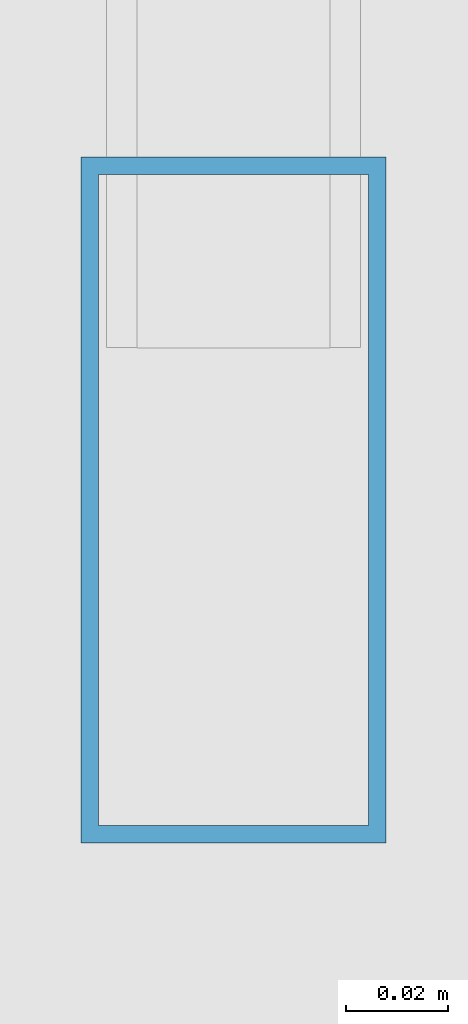
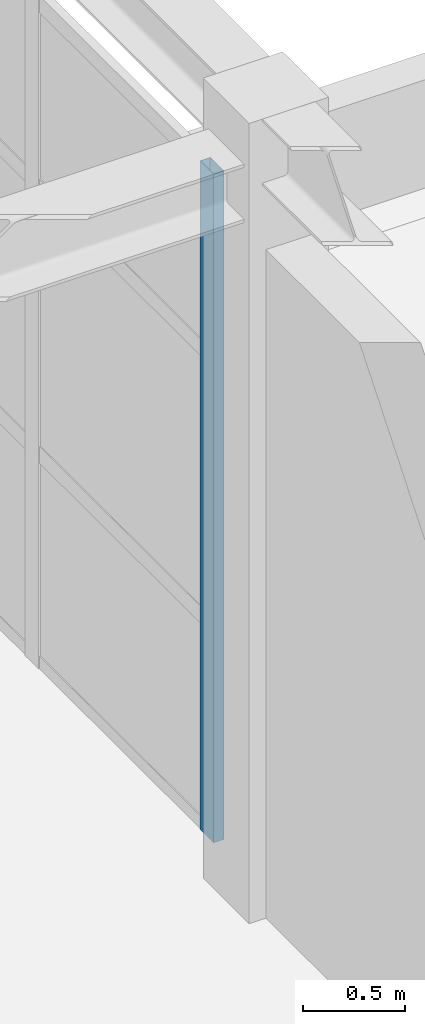
# One storey, part 7 of 63: 1 member, 1 element without a shape of its own.
"""IFC4 building model written with IfcOpenShell, lengths in metres."""

from ifc_helpers import new_model, si_unit, direction, frame, origin, origin_2d, place, context, subcontext, project, spatial, hollow_rectangle, extrude, material, layer, layer_set, material_profile, profile_set, type_object, element, aggregate, save


model = new_model("IFC4")

# Units and contexts
model_context = context("Model", 3, precision=1e-05, world=origin(), true_north=direction((0.0, 1.0)))
body_context = subcontext(model_context, "Body", "Model", "MODEL_VIEW")
ifc_project = project(units=[si_unit("LENGTHUNIT", "METRE"), si_unit("AREAUNIT", "SQUARE_METRE"), si_unit("VOLUMEUNIT", "CUBIC_METRE"), si_unit("PLANEANGLEUNIT", "RADIAN"), si_unit("MASSUNIT", "GRAM", prefix="KILO")], contexts=[model_context])

# Site, building, storey
site_placement = place(None, origin())
site = spatial("IfcSite", under=ifc_project, at=site_placement, CompositionType="ELEMENT")
building_placement = place(site_placement, origin())
building = spatial("IfcBuilding", under=site, at=building_placement, Name="Canggui Botanical Conservatory", CompositionType="ELEMENT")
storey_placement = place(building_placement, frame((0.0, 0.0, 10.199951171875)))
storey = spatial("IfcBuildingStorey", under=building, at=storey_placement, Name="L03", CompositionType="ELEMENT", Elevation=10.199951171875)

# Curtain wall, member
ifc_material = material(Name="Thermally Broken Aluminium", Category="aluminium")
ifc_layer = layer(ifc_material, 0.135009765625, Name="Thermally Broken Aluminium", Category="aluminium")
ifc_layer_set = layer_set([ifc_layer], Name="Thermally Broken Aluminium")
curtain_wall_type = type_object("IfcCurtainWallType", Name="CW-STICK-A", PredefinedType="USERDEFINED", material=ifc_layer_set)
curtain_wall_placement = place(storey_placement, origin())
curtain_wall = element("IfcCurtainWall", 1, at=curtain_wall_placement, inside=storey, type_object=curtain_wall_type, Name="Facade Curtain Wall CW-VIS-L03-14", ObjectType="STICK GLAZED WALL", PredefinedType="USERDEFINED")
ifc_material_profile = material_profile(ifc_material, hollow_rectangle(XDim=0.06005859375, YDim=0.135009765625, WallThickness=0.00341796875, at=origin_2d()), Name="CWM 60x135x3.5")
ifc_profile_set = profile_set([ifc_material_profile], Name="Thermally Broken Aluminium")
member_type = type_object("IfcMemberType", Name="CWM-04", PredefinedType="MULLION", material=ifc_profile_set)
member_placement = place(storey_placement, frame((66.0, 26.530029296875, 0.0), z_axis=(0.0, 0.0, 1.0), x_axis=(1.0, 0.0, 0.0)))
member = element("IfcMember", 2, at=member_placement, type_object=member_type, Name="CW-04 mullion 5", PredefinedType="MULLION", context=body_context, shape_type="SweptSolid", body=[
    extrude(hollow_rectangle(XDim=0.06005859375, YDim=0.135009765625, WallThickness=0.00341796875, at=origin_2d()), origin(), (0.0, 0.0, 1.0), 4.010009765625),
])
aggregate(curtain_wall, [member])

save(model, "model.ifc")
